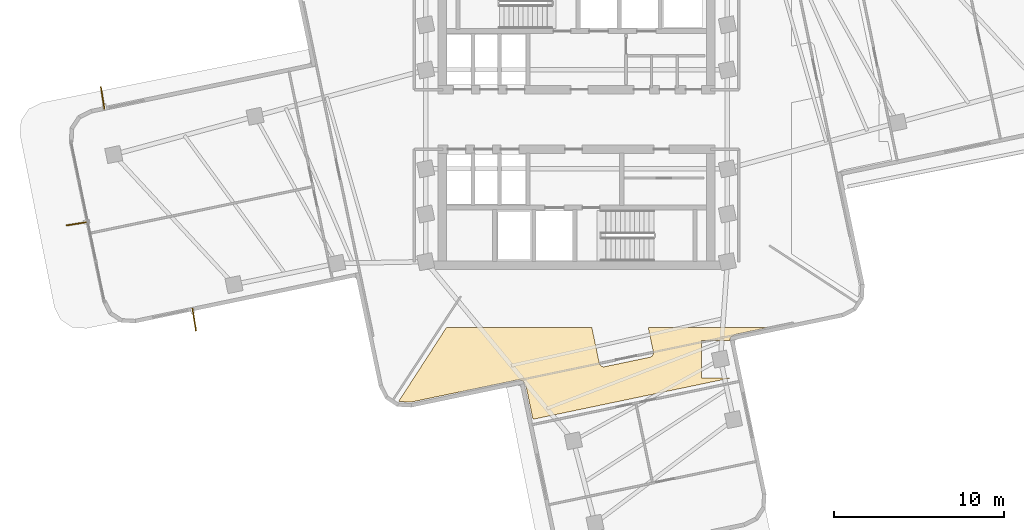
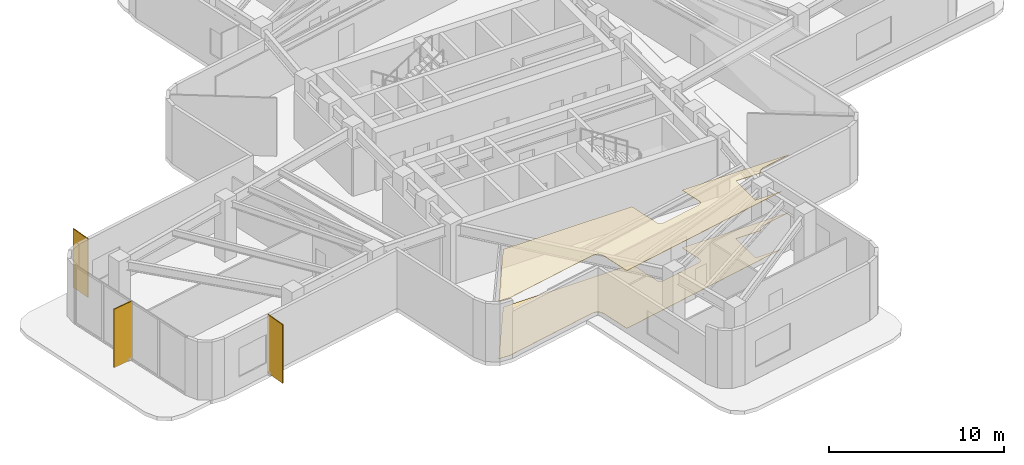
# One storey, part 10 of 12: 3 shading devices, 2 coverings.
"""IFC4 building model written with IfcOpenShell, lengths in metres."""

import ifcopenshell
import ifcopenshell.guid

model = None  # the IFC model being written
_history = None  # IfcOwnerHistory: only IFC2X3 demands one
_inside = {}  # id of a spatial element -> (the spatial element, [elements in it])
_under = {}  # id of a project, library or spatial element -> (it, [spatial elements below it])
_declared = {}  # id of a project -> (the project, [libraries it declares])
_typed = {}  # id of a type object -> (the type object, [elements of that type])
_made_of = {}  # id of a material, layer set ... -> (it, [elements and type objects made of it])


def new_model(schema):
    """Start an empty IFC model of exactly this schema.

    Asked for "IFC4X3", IfcOpenShell would pick the latest addendum, in which some entities
    have other attributes; the version numbers below select the first issue.
    IFC2X3 requires an IfcOwnerHistory on every rooted entity: one is made here for all.
    """
    global model, _history
    if schema == "IFC4X3":
        model = ifcopenshell.file(schema_version=(4, 3, 0, 0))
    else:
        model = ifcopenshell.file(schema=schema)
    _inside.clear()
    _under.clear()
    _declared.clear()
    _typed.clear()
    _made_of.clear()
    _history = None
    if model.schema == "IFC2X3":
        org = make("IfcOrganization", Name="unknown")
        user = make(
            "IfcPersonAndOrganization",
            ThePerson=make("IfcPerson", FamilyName="unknown"),
            TheOrganization=org,
        )
        app = make(
            "IfcApplication",
            ApplicationDeveloper=org,
            Version="unknown",
            ApplicationFullName="unknown",
            ApplicationIdentifier="unknown",
        )
        _history = make(
            "IfcOwnerHistory",
            OwningUser=user,
            OwningApplication=app,
            ChangeAction="ADDED",
            CreationDate=0,
        )
    return model


def make(cls, **values):
    """One entity of the class cls with the attributes given. An attribute that is None is left unset."""
    return model.create_entity(
        cls, **{name: value for name, value in values.items() if value is not None}
    )


def rooted(cls, **values):
    """An entity with a GlobalId (a new one), such as an element, a storey or a relation."""
    return make(cls, GlobalId=ifcopenshell.guid.new(), OwnerHistory=_history, **values)


def si_unit(unit_type, name, prefix=None):
    """IfcSIUnit, for example si_unit("LENGTHUNIT", "METRE", prefix="MILLI")."""
    return make("IfcSIUnit", UnitType=unit_type, Prefix=prefix, Name=name)


def assignment(units):
    """IfcUnitAssignment: the units of a project."""
    return None if units is None else make("IfcUnitAssignment", Units=units)


def point(xyz):
    """IfcCartesianPoint."""
    return None if xyz is None else make("IfcCartesianPoint", Coordinates=xyz)


def direction(xyz):
    """IfcDirection."""
    return None if xyz is None else make("IfcDirection", DirectionRatios=xyz)


def frame(location, z_axis=None, x_axis=None):
    """IfcAxis2Placement3D, a coordinate frame: its origin and axes. An axis left out is left unset."""
    return make(
        "IfcAxis2Placement3D",
        Location=point(location),
        Axis=direction(z_axis),
        RefDirection=direction(x_axis),
    )


def frame_2d(location, x_axis=None):
    """IfcAxis2Placement2D, a coordinate frame in the plane: its origin and x axis."""
    return make(
        "IfcAxis2Placement2D", Location=point(location), RefDirection=direction(x_axis)
    )


def origin():
    """The frame at (0, 0, 0) with its axes left unset."""
    return frame((0.0, 0.0, 0.0))


def origin_2d():
    """The frame at (0, 0) in the plane with its x axis left unset."""
    return frame_2d((0.0, 0.0))


def place(relative_to, where):
    """IfcLocalPlacement: puts the frame where relative to a parent placement (None: the world)."""
    return make(
        "IfcLocalPlacement", PlacementRelTo=relative_to, RelativePlacement=where
    )


def context(
    kind, dimensions, precision=None, world=None, true_north=None, identifier=None
):
    """IfcGeometricRepresentationContext, for example the 3D "Model" context."""
    return make(
        "IfcGeometricRepresentationContext",
        ContextIdentifier=identifier,
        ContextType=kind,
        CoordinateSpaceDimension=dimensions,
        Precision=precision,
        WorldCoordinateSystem=world,
        TrueNorth=true_north,
    )


def subcontext(parent, identifier, kind, view, scale=None):
    """IfcGeometricRepresentationSubContext, for example "Body" below "Model"."""
    return make(
        "IfcGeometricRepresentationSubContext",
        ContextIdentifier=identifier,
        ContextType=kind,
        ParentContext=parent,
        TargetScale=scale,
        TargetView=view,
    )


def project(units=None, contexts=None):
    """IfcProject with its units and contexts."""
    return rooted(
        "IfcProject",
        Name="project",
        RepresentationContexts=contexts,
        UnitsInContext=assignment(units),
    )


def spatial(cls, under=None, at=None, **own):
    """A site, building, storey or space (cls), placed at a placement, below another one or the project."""
    s = rooted(cls, ObjectPlacement=at, **own)
    if under is not None:
        _under.setdefault(under.id(), (under, []))[1].append(s)
    return s


def polyline(points):
    """IfcPolyline through the points."""
    return make("IfcPolyline", Points=[point(p) for p in points])


def profile(cls, at=None, kind="AREA", **sizes):
    """A parametric profile (cls). Its sizes go by their IFC names, for example OverallWidth=200.0."""
    return make(cls, ProfileType=kind, Position=at, **sizes)


def rectangle(**sizes):
    """IfcRectangleProfileDef."""
    return profile("IfcRectangleProfileDef", **sizes)


def outline(outer, holes=None, kind="AREA"):
    """IfcArbitraryClosedProfileDef: a profile drawn as a closed curve; with holes, ...WithVoids."""
    if holes is None:
        return make("IfcArbitraryClosedProfileDef", ProfileType=kind, OuterCurve=outer)
    return make(
        "IfcArbitraryProfileDefWithVoids",
        ProfileType=kind,
        OuterCurve=outer,
        InnerCurves=holes,
    )


def extrude(swept, where, along, depth):
    """IfcExtrudedAreaSolid: the profile swept, set in the frame where, extruded along a direction by depth."""
    return make(
        "IfcExtrudedAreaSolid",
        SweptArea=swept,
        Position=where,
        ExtrudedDirection=direction(along),
        Depth=depth,
    )


def shape(context_of_items, identifier, shape_type, items):
    """IfcShapeRepresentation: the items that make up one representation, for example the "Body"."""
    return make(
        "IfcShapeRepresentation",
        ContextOfItems=context_of_items,
        RepresentationIdentifier=identifier,
        RepresentationType=shape_type,
        Items=items,
    )


def material(Name=None, Category=None):
    """IfcMaterial."""
    return make("IfcMaterial", Name=Name, Category=Category)


def layer(
    of_material, thickness, ventilated=None, Name=None, Category=None, Priority=None
):
    """IfcMaterialLayer: one layer of a wall or slab, of a material (None: an air gap)."""
    return make(
        "IfcMaterialLayer",
        Material=of_material,
        LayerThickness=thickness,
        IsVentilated=ventilated,
        Name=Name,
        Category=Category,
        Priority=Priority,
    )


def layer_set(layers, Name=None):
    """IfcMaterialLayerSet."""
    return make("IfcMaterialLayerSet", MaterialLayers=layers, LayerSetName=Name)


def made_of(thing, what):
    """Note that an element or type object is made of a material, layer set ...; save() writes the relation."""
    if what is not None:
        _made_of.setdefault(what.id(), (what, []))[1].append(thing)
    return thing


def type_object(cls, material=None, **own):
    """A type object (cls), such as IfcWallType, which elements share."""
    return made_of(rooted(cls, **own), material)


def element(
    cls,
    number,
    at=None,
    inside=None,
    cuts=None,
    type_object=None,
    material=None,
    context=None,
    identifier="Body",
    shape_type=None,
    held_by="IfcProductDefinitionShape",
    body=None,
    shapes=None,
    **own,
):
    """One element of the class cls, such as IfcWall. Its Tag is "e" and its number.

    at: its placement. inside: the storey or other place that contains it. cuts: it is an
    opening in that element (IfcRelVoidsElement). A single representation is given by context,
    identifier, shape_type and body (its items); several are given by shapes. held_by: the class
    of the entity that holds the representations. save() writes the other relations.
    """
    e = rooted(cls, Tag="e%d" % number, ObjectPlacement=at, **own)
    if body is not None:
        shapes = [shape(context, identifier, shape_type, body)]
    if shapes is not None:
        e.Representation = make(held_by, Representations=shapes)
    if inside is not None:
        _inside.setdefault(inside.id(), (inside, []))[1].append(e)
    if cuts is not None:
        rooted(
            "IfcRelVoidsElement", RelatingBuildingElement=cuts, RelatedOpeningElement=e
        )
    if type_object is not None:
        _typed.setdefault(type_object.id(), (type_object, []))[1].append(e)
    return made_of(e, material)


def aggregate(whole, parts):
    """IfcRelAggregates: a whole, such as a stair, and the parts it consists of."""
    return rooted("IfcRelAggregates", RelatingObject=whole, RelatedObjects=parts)


def save(model, path):
    """Write the relations noted so far, then the file.

    IfcRelAggregates (storeys below a building ...), IfcRelContainedInSpatialStructure (elements
    in a storey), IfcRelDefinesByType, IfcRelAssociatesMaterial and IfcRelDeclares: one each for
    every whole, place, type object, material and project.
    """
    for whole, parts in _under.values():
        aggregate(whole, parts)
    for where, things in _inside.values():
        rooted(
            "IfcRelContainedInSpatialStructure",
            RelatedElements=things,
            RelatingStructure=where,
        )
    for kind, things in _typed.values():
        rooted("IfcRelDefinesByType", RelatedObjects=things, RelatingType=kind)
    for what, things in _made_of.values():
        rooted("IfcRelAssociatesMaterial", RelatedObjects=things, RelatingMaterial=what)
    for by, libraries in _declared.values():
        rooted("IfcRelDeclares", RelatingContext=by, RelatedDefinitions=libraries)
    model.write(path)


model = new_model("IFC4")

# Units and contexts
model_context = context("Model", 3, precision=1e-05, world=origin(), true_north=direction((0.0, 1.0)))
body_context = subcontext(model_context, "Body", "Model", "MODEL_VIEW")
ifc_project = project(units=[si_unit("LENGTHUNIT", "METRE"), si_unit("AREAUNIT", "SQUARE_METRE"), si_unit("VOLUMEUNIT", "CUBIC_METRE"), si_unit("PLANEANGLEUNIT", "RADIAN"), si_unit("MASSUNIT", "GRAM", prefix="KILO")], contexts=[model_context])

# Site, building, storey
site_placement = place(None, origin())
site = spatial("IfcSite", under=ifc_project, at=site_placement, CompositionType="ELEMENT")
building_placement = place(site_placement, origin())
building = spatial("IfcBuilding", under=site, at=building_placement, Name="Solmarez Civic Tower", CompositionType="ELEMENT")
storey_placement = place(building_placement, frame((0.0, 0.0, 111.9599609375)))
storey = spatial("IfcBuildingStorey", under=building, at=storey_placement, Name="L29", CompositionType="ELEMENT", Elevation=111.9599609375)

# Coverings
ifc_material_1 = material(Name="Perforated Mineral-Fibre Acoustic Ceiling")
ifc_layer_1 = layer(ifc_material_1, 0.02490234375)
ifc_layer_set_1 = layer_set([ifc_layer_1], Name="Perforated Mineral-Fibre Acoustic Ceiling")
covering_type_1 = type_object("IfcCoveringType", Name="COV-CEIL-ACOUSTIC", PredefinedType="CEILING", material=ifc_layer_set_1)
covering_1_placement = place(storey_placement, frame((0.0, 0.0, 4.03515625)))
element("IfcCovering", 1, at=covering_1_placement, inside=storey, type_object=covering_type_1, Name="L29 Suspended Acoustic Ceiling 2", PredefinedType="CEILING", context=body_context, shape_type="SweptSolid", body=[
    extrude(outline(polyline([(0.89404296875, -12.199951171875), (-7.6259765625, -12.199951171875), (-10.43701171875, -16.5458984375), (-10.430908203125, -16.550048828125), (-9.72412109375, -16.589111328125), (-3.556884765625, -15.301025390625), (-3.54296875, -15.298095703125), (-3.535888671875, -15.297119140625), (-3.529052734375, -15.2958984375), (-3.498046875, -15.2939453125), (-3.490966796875, -15.2939453125), (-3.47802734375, -15.2939453125), (-3.305908203125, -15.303955078125), (-3.2880859375, -15.305908203125), (-3.282958984375, -15.306884765625), (-3.277099609375, -15.30810546875), (-3.256103515625, -15.31103515625), (-3.237060546875, -15.31689453125), (-3.218017578125, -15.322998046875), (-3.205078125, -15.327880859375), (-3.180908203125, -15.340087890625), (-3.174072265625, -15.343994140625), (-3.160888671875, -15.35205078125), (-3.155029296875, -15.35595703125), (-3.135986328125, -15.3701171875), (-3.1298828125, -15.375), (-3.1240234375, -15.3798828125), (-3.10888671875, -15.39404296875), (-3.093994140625, -15.409912109375), (-3.0859375, -15.4208984375), (-3.074951171875, -15.43603515625), (-3.06494140625, -15.451904296875), (-3.06103515625, -15.458984375), (-3.054931640625, -15.468994140625), (-2.97802734375, -15.6220703125), (-2.972900390625, -15.634033203125), (-2.969970703125, -15.64111328125), (-2.962890625, -15.657958984375), (-2.9609375, -15.6640625), (-2.9580078125, -15.674072265625), (-2.9560546875, -15.680908203125), (-2.952880859375, -15.696044921875), (-2.555908203125, -17.594970703125), (9.0791015625, -15.1640625), (7.344970703125, -15.1640625), (7.344970703125, -12.964111328125), (8.992919921875, -12.964111328125), (8.992919921875, -12.950927734375), (8.9951171875, -12.93701171875), (8.99609375, -12.925048828125), (8.9970703125, -12.91796875), (9.001953125, -12.89599609375), (9.00390625, -12.887939453125), (9.009033203125, -12.87109375), (9.014892578125, -12.85400390625), (9.01806640625, -12.846923828125), (9.027099609375, -12.8291015625), (9.037109375, -12.81201171875), (9.047119140625, -12.7958984375), (9.05908203125, -12.780029296875), (9.06396484375, -12.77392578125), (9.076904296875, -12.759033203125), (9.08203125, -12.75390625), (9.096923828125, -12.740966796875), (9.10302734375, -12.736083984375), (9.1220703125, -12.721923828125), (9.1279296875, -12.718017578125), (9.14111328125, -12.7099609375), (9.14794921875, -12.7060546875), (9.156982421875, -12.700927734375), (9.31005859375, -12.623046875), (9.322998046875, -12.616943359375), (9.330078125, -12.614013671875), (9.346923828125, -12.60693359375), (9.35302734375, -12.60498046875), (9.363037109375, -12.60205078125), (9.3701171875, -12.60009765625), (9.385009765625, -12.596923828125), (11.283935546875, -12.199951171875), (4.2041015625, -12.199951171875), (4.5048828125, -13.638916015625), (4.506103515625, -13.64404296875), (4.509033203125, -13.6650390625), (4.510009765625, -13.68701171875), (4.510009765625, -13.696044921875), (4.509033203125, -13.718017578125), (4.506103515625, -13.739013671875), (4.5048828125, -13.743896484375), (4.50390625, -13.7490234375), (4.4990234375, -13.76904296875), (4.491943359375, -13.7880859375), (4.489990234375, -13.79296875), (4.48291015625, -13.80908203125), (4.47900390625, -13.81689453125), (4.468994140625, -13.8349609375), (4.455078125, -13.85498046875), (4.43505859375, -13.87890625), (4.427978515625, -13.885986328125), (4.39990234375, -13.908935546875), (4.385009765625, -13.919921875), (4.376953125, -13.925048828125), (4.360107421875, -13.93408203125), (4.342041015625, -13.94189453125), (4.3369140625, -13.944091796875), (4.318115234375, -13.950927734375), (4.2939453125, -13.95703125), (1.64990234375, -14.510009765625), (1.64501953125, -14.510986328125), (1.6240234375, -14.513916015625), (1.60205078125, -14.514892578125), (1.593017578125, -14.514892578125), (1.571044921875, -14.513916015625), (1.550048828125, -14.510986328125), (1.544921875, -14.510009765625), (1.5400390625, -14.509033203125), (1.52001953125, -14.50390625), (1.5009765625, -14.4970703125), (1.49609375, -14.4951171875), (1.47998046875, -14.488037109375), (1.471923828125, -14.48388671875), (1.4541015625, -14.47412109375), (1.43798828125, -14.462890625), (1.429931640625, -14.45703125), (1.4140625, -14.444091796875), (1.39892578125, -14.428955078125), (1.385986328125, -14.4130859375), (1.3798828125, -14.405029296875), (1.368896484375, -14.389892578125), (1.364013671875, -14.382080078125), (1.35498046875, -14.364990234375), (1.346923828125, -14.346923828125), (1.344970703125, -14.342041015625), (1.337890625, -14.322998046875), (1.33203125, -14.299072265625), (0.89404296875, -12.199951171875)])), origin(), (0.0, 0.0, 1.0), 0.02490234375),
])
ifc_material_2 = material(Name="Polished Tropical Stone Terrazzo Flooring", Category="masonry")
ifc_layer_2 = layer(ifc_material_2, 0.02001953125)
ifc_layer_set_2 = layer_set([ifc_layer_2], Name="Polished Tropical Stone Terrazzo Flooring")
covering_type_2 = type_object("IfcCoveringType", Name="COV-FLOOR-TERRAZZO", PredefinedType="FLOORING", material=ifc_layer_set_2)
covering_2_placement = place(storey_placement, origin())
element("IfcCovering", 2, at=covering_2_placement, inside=storey, type_object=covering_type_2, Name="L29 Terrazzo Floor Finish 2", PredefinedType="FLOORING", context=body_context, shape_type="SweptSolid", body=[
    extrude(outline(polyline([(0.89404296875, -12.199951171875), (-7.6259765625, -12.199951171875), (-10.43701171875, -16.5458984375), (-10.430908203125, -16.550048828125), (-9.72412109375, -16.589111328125), (-3.556884765625, -15.301025390625), (-3.54296875, -15.298095703125), (-3.535888671875, -15.297119140625), (-3.529052734375, -15.2958984375), (-3.498046875, -15.2939453125), (-3.490966796875, -15.2939453125), (-3.47802734375, -15.2939453125), (-3.305908203125, -15.303955078125), (-3.2880859375, -15.305908203125), (-3.282958984375, -15.306884765625), (-3.277099609375, -15.30810546875), (-3.256103515625, -15.31103515625), (-3.237060546875, -15.31689453125), (-3.218017578125, -15.322998046875), (-3.205078125, -15.327880859375), (-3.180908203125, -15.340087890625), (-3.174072265625, -15.343994140625), (-3.160888671875, -15.35205078125), (-3.155029296875, -15.35595703125), (-3.135986328125, -15.3701171875), (-3.1298828125, -15.375), (-3.1240234375, -15.3798828125), (-3.10888671875, -15.39404296875), (-3.093994140625, -15.409912109375), (-3.0859375, -15.4208984375), (-3.074951171875, -15.43603515625), (-3.06494140625, -15.451904296875), (-3.06103515625, -15.458984375), (-3.054931640625, -15.468994140625), (-2.97802734375, -15.6220703125), (-2.972900390625, -15.634033203125), (-2.969970703125, -15.64111328125), (-2.962890625, -15.657958984375), (-2.9609375, -15.6640625), (-2.9580078125, -15.674072265625), (-2.9560546875, -15.680908203125), (-2.952880859375, -15.696044921875), (-2.555908203125, -17.594970703125), (9.0791015625, -15.1640625), (7.344970703125, -15.1640625), (7.344970703125, -12.964111328125), (8.992919921875, -12.964111328125), (8.992919921875, -12.950927734375), (8.9951171875, -12.93701171875), (8.99609375, -12.925048828125), (8.9970703125, -12.91796875), (9.001953125, -12.89599609375), (9.00390625, -12.887939453125), (9.009033203125, -12.87109375), (9.014892578125, -12.85400390625), (9.01806640625, -12.846923828125), (9.027099609375, -12.8291015625), (9.037109375, -12.81201171875), (9.047119140625, -12.7958984375), (9.05908203125, -12.780029296875), (9.06396484375, -12.77392578125), (9.076904296875, -12.759033203125), (9.08203125, -12.75390625), (9.096923828125, -12.740966796875), (9.10302734375, -12.736083984375), (9.1220703125, -12.721923828125), (9.1279296875, -12.718017578125), (9.14111328125, -12.7099609375), (9.14794921875, -12.7060546875), (9.156982421875, -12.700927734375), (9.31005859375, -12.623046875), (9.322998046875, -12.616943359375), (9.330078125, -12.614013671875), (9.346923828125, -12.60693359375), (9.35302734375, -12.60498046875), (9.363037109375, -12.60205078125), (9.3701171875, -12.60009765625), (9.385009765625, -12.596923828125), (11.283935546875, -12.199951171875), (4.2041015625, -12.199951171875), (4.5048828125, -13.638916015625), (4.506103515625, -13.64404296875), (4.509033203125, -13.6650390625), (4.510009765625, -13.68701171875), (4.510009765625, -13.696044921875), (4.509033203125, -13.718017578125), (4.506103515625, -13.739013671875), (4.5048828125, -13.743896484375), (4.50390625, -13.7490234375), (4.4990234375, -13.76904296875), (4.491943359375, -13.7880859375), (4.489990234375, -13.79296875), (4.48291015625, -13.80908203125), (4.47900390625, -13.81689453125), (4.468994140625, -13.8349609375), (4.455078125, -13.85498046875), (4.43505859375, -13.87890625), (4.427978515625, -13.885986328125), (4.39990234375, -13.908935546875), (4.385009765625, -13.919921875), (4.376953125, -13.925048828125), (4.360107421875, -13.93408203125), (4.342041015625, -13.94189453125), (4.3369140625, -13.944091796875), (4.318115234375, -13.950927734375), (4.2939453125, -13.95703125), (1.64990234375, -14.510009765625), (1.64501953125, -14.510986328125), (1.6240234375, -14.513916015625), (1.60205078125, -14.514892578125), (1.593017578125, -14.514892578125), (1.571044921875, -14.513916015625), (1.550048828125, -14.510986328125), (1.544921875, -14.510009765625), (1.5400390625, -14.509033203125), (1.52001953125, -14.50390625), (1.5009765625, -14.4970703125), (1.49609375, -14.4951171875), (1.47998046875, -14.488037109375), (1.471923828125, -14.48388671875), (1.4541015625, -14.47412109375), (1.43798828125, -14.462890625), (1.429931640625, -14.45703125), (1.4140625, -14.444091796875), (1.39892578125, -14.428955078125), (1.385986328125, -14.4130859375), (1.3798828125, -14.405029296875), (1.368896484375, -14.389892578125), (1.364013671875, -14.382080078125), (1.35498046875, -14.364990234375), (1.346923828125, -14.346923828125), (1.344970703125, -14.342041015625), (1.337890625, -14.322998046875), (1.33203125, -14.299072265625), (0.89404296875, -12.199951171875)])), origin(), (0.0, 0.0, 1.0), 0.02001953125),
])

# Shading devices
ifc_material_3 = material(Name="Bronze Anodised Aluminium EN AW-6063 T6", Category="aluminium")
ifc_layer_3 = layer(ifc_material_3, 0.06005859375)
ifc_layer_set_3 = layer_set([ifc_layer_3], Name="Bronze Anodised Aluminium EN AW-6063 T6")
shading_device_type = type_object("IfcShadingDeviceType", Name="FIN-BRONZE-Z34", PredefinedType="USERDEFINED", material=ifc_layer_set_3)
for number, where, z_axis, x_axis, name in (
    (3, (-22.430908203125, -11.75, -0.0400390625), (0.0, 0.0, 1.0), (0.158364867248, -0.987380660547, 0.0), "L29 Anodised Bronze Solar Fin FIN-L29-01"),
    (4, (-29.282958984375, -6.116943359375, -0.0400390625), (0.0, 0.0, 1.0), (-0.987369602187, -0.158433799036, 0.0), "L29 Anodised Bronze Solar Fin FIN-L29-02"),
    (5, (-27.804931640625, 1.256103515625, -0.0400390625), (0.0, 0.0, 1.0), (-0.158416566162, 0.987372367228, 0.0), "L29 Anodised Bronze Solar Fin FIN-L29-03"),
):
    element("IfcShadingDevice", number, at=place(storey_placement, frame(where, z_axis=z_axis, x_axis=x_axis)), inside=storey, type_object=shading_device_type, Name=name, ObjectType="FIN", PredefinedType="USERDEFINED", context=body_context, shape_type="SweptSolid", body=[
        extrude(rectangle(XDim=1.35009765625, YDim=0.06005859375, at=origin_2d()), origin(), (0.0, 0.0, 1.0), 4.10009765625),
    ])

save(model, "model.ifc")
